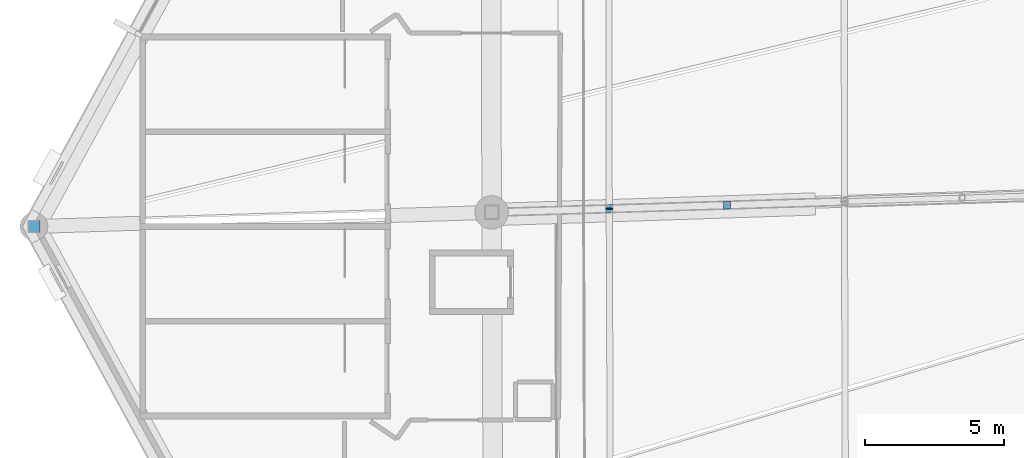
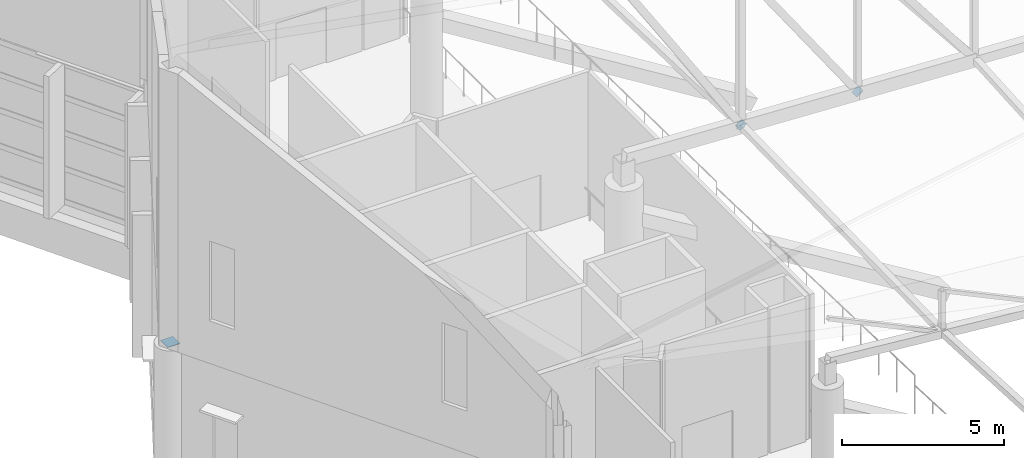
# One storey, part 289 of 344: 5 discrete accessories.
"""IFC4 building model written with IfcOpenShell, lengths in metres."""

import ifcopenshell
import ifcopenshell.guid

model = None  # the IFC model being written
_history = None  # IfcOwnerHistory: only IFC2X3 demands one
_inside = {}  # id of a spatial element -> (the spatial element, [elements in it])
_under = {}  # id of a project, library or spatial element -> (it, [spatial elements below it])
_declared = {}  # id of a project -> (the project, [libraries it declares])
_typed = {}  # id of a type object -> (the type object, [elements of that type])
_made_of = {}  # id of a material, layer set ... -> (it, [elements and type objects made of it])


def new_model(schema):
    """Start an empty IFC model of exactly this schema.

    Asked for "IFC4X3", IfcOpenShell would pick the latest addendum, in which some entities
    have other attributes; the version numbers below select the first issue.
    IFC2X3 requires an IfcOwnerHistory on every rooted entity: one is made here for all.
    """
    global model, _history
    if schema == "IFC4X3":
        model = ifcopenshell.file(schema_version=(4, 3, 0, 0))
    else:
        model = ifcopenshell.file(schema=schema)
    _inside.clear()
    _under.clear()
    _declared.clear()
    _typed.clear()
    _made_of.clear()
    _history = None
    if model.schema == "IFC2X3":
        org = make("IfcOrganization", Name="unknown")
        user = make(
            "IfcPersonAndOrganization",
            ThePerson=make("IfcPerson", FamilyName="unknown"),
            TheOrganization=org,
        )
        app = make(
            "IfcApplication",
            ApplicationDeveloper=org,
            Version="unknown",
            ApplicationFullName="unknown",
            ApplicationIdentifier="unknown",
        )
        _history = make(
            "IfcOwnerHistory",
            OwningUser=user,
            OwningApplication=app,
            ChangeAction="ADDED",
            CreationDate=0,
        )
    return model


def make(cls, **values):
    """One entity of the class cls with the attributes given. An attribute that is None is left unset."""
    return model.create_entity(
        cls, **{name: value for name, value in values.items() if value is not None}
    )


def rooted(cls, **values):
    """An entity with a GlobalId (a new one), such as an element, a storey or a relation."""
    return make(cls, GlobalId=ifcopenshell.guid.new(), OwnerHistory=_history, **values)


def si_unit(unit_type, name, prefix=None):
    """IfcSIUnit, for example si_unit("LENGTHUNIT", "METRE", prefix="MILLI")."""
    return make("IfcSIUnit", UnitType=unit_type, Prefix=prefix, Name=name)


def assignment(units):
    """IfcUnitAssignment: the units of a project."""
    return None if units is None else make("IfcUnitAssignment", Units=units)


def point(xyz):
    """IfcCartesianPoint."""
    return None if xyz is None else make("IfcCartesianPoint", Coordinates=xyz)


def direction(xyz):
    """IfcDirection."""
    return None if xyz is None else make("IfcDirection", DirectionRatios=xyz)


def frame(location, z_axis=None, x_axis=None):
    """IfcAxis2Placement3D, a coordinate frame: its origin and axes. An axis left out is left unset."""
    return make(
        "IfcAxis2Placement3D",
        Location=point(location),
        Axis=direction(z_axis),
        RefDirection=direction(x_axis),
    )


def frame_2d(location, x_axis=None):
    """IfcAxis2Placement2D, a coordinate frame in the plane: its origin and x axis."""
    return make(
        "IfcAxis2Placement2D", Location=point(location), RefDirection=direction(x_axis)
    )


def origin():
    """The frame at (0, 0, 0) with its axes left unset."""
    return frame((0.0, 0.0, 0.0))


def origin_2d():
    """The frame at (0, 0) in the plane with its x axis left unset."""
    return frame_2d((0.0, 0.0))


def place(relative_to, where):
    """IfcLocalPlacement: puts the frame where relative to a parent placement (None: the world)."""
    return make(
        "IfcLocalPlacement", PlacementRelTo=relative_to, RelativePlacement=where
    )


def context(
    kind, dimensions, precision=None, world=None, true_north=None, identifier=None
):
    """IfcGeometricRepresentationContext, for example the 3D "Model" context."""
    return make(
        "IfcGeometricRepresentationContext",
        ContextIdentifier=identifier,
        ContextType=kind,
        CoordinateSpaceDimension=dimensions,
        Precision=precision,
        WorldCoordinateSystem=world,
        TrueNorth=true_north,
    )


def subcontext(parent, identifier, kind, view, scale=None):
    """IfcGeometricRepresentationSubContext, for example "Body" below "Model"."""
    return make(
        "IfcGeometricRepresentationSubContext",
        ContextIdentifier=identifier,
        ContextType=kind,
        ParentContext=parent,
        TargetScale=scale,
        TargetView=view,
    )


def project(units=None, contexts=None):
    """IfcProject with its units and contexts."""
    return rooted(
        "IfcProject",
        Name="project",
        RepresentationContexts=contexts,
        UnitsInContext=assignment(units),
    )


def spatial(cls, under=None, at=None, **own):
    """A site, building, storey or space (cls), placed at a placement, below another one or the project."""
    s = rooted(cls, ObjectPlacement=at, **own)
    if under is not None:
        _under.setdefault(under.id(), (under, []))[1].append(s)
    return s


def profile(cls, at=None, kind="AREA", **sizes):
    """A parametric profile (cls). Its sizes go by their IFC names, for example OverallWidth=200.0."""
    return make(cls, ProfileType=kind, Position=at, **sizes)


def rectangle(**sizes):
    """IfcRectangleProfileDef."""
    return profile("IfcRectangleProfileDef", **sizes)


def extrude(swept, where, along, depth):
    """IfcExtrudedAreaSolid: the profile swept, set in the frame where, extruded along a direction by depth."""
    return make(
        "IfcExtrudedAreaSolid",
        SweptArea=swept,
        Position=where,
        ExtrudedDirection=direction(along),
        Depth=depth,
    )


def shape(context_of_items, identifier, shape_type, items):
    """IfcShapeRepresentation: the items that make up one representation, for example the "Body"."""
    return make(
        "IfcShapeRepresentation",
        ContextOfItems=context_of_items,
        RepresentationIdentifier=identifier,
        RepresentationType=shape_type,
        Items=items,
    )


def material(Name=None, Category=None):
    """IfcMaterial."""
    return make("IfcMaterial", Name=Name, Category=Category)


def material_profile(
    of_material, cross_section, Name=None, Category=None, Priority=None
):
    """IfcMaterialProfile: a cross section and its material."""
    return make(
        "IfcMaterialProfile",
        Name=Name,
        Material=of_material,
        Profile=cross_section,
        Priority=Priority,
        Category=Category,
    )


def profile_set(profiles, Name=None, composite=None):
    """IfcMaterialProfileSet."""
    return make(
        "IfcMaterialProfileSet",
        Name=Name,
        MaterialProfiles=profiles,
        CompositeProfile=composite,
    )


def made_of(thing, what):
    """Note that an element or type object is made of a material, layer set ...; save() writes the relation."""
    if what is not None:
        _made_of.setdefault(what.id(), (what, []))[1].append(thing)
    return thing


def type_object(cls, material=None, **own):
    """A type object (cls), such as IfcWallType, which elements share."""
    return made_of(rooted(cls, **own), material)


def element(
    cls,
    number,
    at=None,
    inside=None,
    cuts=None,
    type_object=None,
    material=None,
    context=None,
    identifier="Body",
    shape_type=None,
    held_by="IfcProductDefinitionShape",
    body=None,
    shapes=None,
    **own,
):
    """One element of the class cls, such as IfcWall. Its Tag is "e" and its number.

    at: its placement. inside: the storey or other place that contains it. cuts: it is an
    opening in that element (IfcRelVoidsElement). A single representation is given by context,
    identifier, shape_type and body (its items); several are given by shapes. held_by: the class
    of the entity that holds the representations. save() writes the other relations.
    """
    e = rooted(cls, Tag="e%d" % number, ObjectPlacement=at, **own)
    if body is not None:
        shapes = [shape(context, identifier, shape_type, body)]
    if shapes is not None:
        e.Representation = make(held_by, Representations=shapes)
    if inside is not None:
        _inside.setdefault(inside.id(), (inside, []))[1].append(e)
    if cuts is not None:
        rooted(
            "IfcRelVoidsElement", RelatingBuildingElement=cuts, RelatedOpeningElement=e
        )
    if type_object is not None:
        _typed.setdefault(type_object.id(), (type_object, []))[1].append(e)
    return made_of(e, material)


def aggregate(whole, parts):
    """IfcRelAggregates: a whole, such as a stair, and the parts it consists of."""
    return rooted("IfcRelAggregates", RelatingObject=whole, RelatedObjects=parts)


def save(model, path):
    """Write the relations noted so far, then the file.

    IfcRelAggregates (storeys below a building ...), IfcRelContainedInSpatialStructure (elements
    in a storey), IfcRelDefinesByType, IfcRelAssociatesMaterial and IfcRelDeclares: one each for
    every whole, place, type object, material and project.
    """
    for whole, parts in _under.values():
        aggregate(whole, parts)
    for where, things in _inside.values():
        rooted(
            "IfcRelContainedInSpatialStructure",
            RelatedElements=things,
            RelatingStructure=where,
        )
    for kind, things in _typed.values():
        rooted("IfcRelDefinesByType", RelatedObjects=things, RelatingType=kind)
    for what, things in _made_of.values():
        rooted("IfcRelAssociatesMaterial", RelatedObjects=things, RelatingMaterial=what)
    for by, libraries in _declared.values():
        rooted("IfcRelDeclares", RelatingContext=by, RelatedDefinitions=libraries)
    model.write(path)


model = new_model("IFC4")

# Units and contexts
model_context = context("Model", 3, precision=1e-05, world=origin(), true_north=direction((0.0, 1.0)))
body_context = subcontext(model_context, "Body", "Model", "MODEL_VIEW")
ifc_project = project(units=[si_unit("LENGTHUNIT", "METRE"), si_unit("AREAUNIT", "SQUARE_METRE"), si_unit("VOLUMEUNIT", "CUBIC_METRE"), si_unit("PLANEANGLEUNIT", "RADIAN"), si_unit("MASSUNIT", "GRAM", prefix="KILO")], contexts=[model_context])

# Site, building, storey
site_placement = place(None, origin())
site = spatial("IfcSite", under=ifc_project, at=site_placement, CompositionType="ELEMENT")
building_placement = place(site_placement, origin())
building = spatial("IfcBuilding", under=site, at=building_placement, Name="Meseta Stadium", CompositionType="ELEMENT")
storey_placement = place(building_placement, frame((0.0, 0.0, 24.0)))
storey = spatial("IfcBuildingStorey", under=building, at=storey_placement, Name="L04", CompositionType="ELEMENT", Elevation=24.0)

# Discrete accessories
ifc_material_1 = material(Name="Steel S355", Category="steel")
ifc_material_profile_1 = material_profile(ifc_material_1, rectangle(XDim=0.260009765625, YDim=0.260009765625, at=origin_2d()), Name="PL 260x260")
ifc_profile_set_1 = profile_set([ifc_material_profile_1], Name="Steel S355")
discrete_accessory_type_1 = type_object("IfcDiscreteAccessoryType", Name="End plate 260x260x20", PredefinedType="ANCHORPLATE", material=ifc_profile_set_1)
for number, where, z_axis, x_axis, name in (
    (1, (-80.75830078125, -18.113525390625, 6.546630859375), (0.0, -0.999331426586, 0.036560905851), (1.0, 0.0, 0.0), "End plate of ROOF TRUSS STRUT RT-33/34"),
    (2, (-80.758544921875, -18.093505859375, 6.547119140625), (0.012190590302, -0.999628404729, -0.024381180603), (0.999925647793, 0.012194215217, 0.0), "End plate of ROOF TRUSS STRUT RT-34/35"),
):
    element("IfcDiscreteAccessory", number, at=place(storey_placement, frame(where, z_axis=z_axis, x_axis=x_axis)), inside=storey, type_object=discrete_accessory_type_1, Name=name, PredefinedType="ANCHORPLATE", context=body_context, shape_type="SweptSolid", body=[
        extrude(rectangle(XDim=0.260009765625, YDim=0.260009765625, at=origin_2d()), origin(), (0.0, 0.0, 1.0), 0.02001953125),
    ])
ifc_material_2 = material(Name="Steel S355", Category="steel")
ifc_material_profile_2 = material_profile(ifc_material_2, rectangle(XDim=0.2900390625, YDim=0.2900390625, at=origin_2d()), Name="PL 290x290")
ifc_profile_set_2 = profile_set([ifc_material_profile_2], Name="Steel S355")
discrete_accessory_type_2 = type_object("IfcDiscreteAccessoryType", Name="End plate 290x290x20", PredefinedType="ANCHORPLATE", material=ifc_profile_set_2)
for number, where, z_axis, x_axis, name in (
    (3, (-76.52685546875, -17.98291015625, 6.22607421875), (-0.565835193214, -0.02460153014, 0.824151259682), (0.043437224276, -0.999056158355, 0.0), "End plate of ROOF TRUSS RT-34 diagonal"),
    (4, (-80.747802734375, -18.113037109375, 6.52978515625), (-0.528732930927, -0.024592229345, 0.848431912418), (0.046461399352, -0.998920086078, 0.0), "End plate of ROOF TRUSS RT-34 diagonal"),
):
    element("IfcDiscreteAccessory", number, at=place(storey_placement, frame(where, z_axis=z_axis, x_axis=x_axis)), inside=storey, type_object=discrete_accessory_type_2, Name=name, PredefinedType="ANCHORPLATE", context=body_context, shape_type="SweptSolid", body=[
        extrude(rectangle(XDim=0.2900390625, YDim=0.2900390625, at=origin_2d()), origin(), (0.0, 0.0, 1.0), 0.019775390625),
    ])
ifc_material_3 = material(Name="Steel S355", Category="steel")
ifc_material_profile_3 = material_profile(ifc_material_3, rectangle(XDim=0.43994140625, YDim=0.43994140625, at=origin_2d()), Name="PL 440x440")
ifc_profile_set_3 = profile_set([ifc_material_profile_3], Name="Steel S355")
discrete_accessory_type_3 = type_object("IfcDiscreteAccessoryType", Name="End plate 440x440x20", PredefinedType="ANCHORPLATE", material=ifc_profile_set_3)
discrete_accessory_placement = place(storey_placement, frame((-101.39990234375, -18.75, 5.97998046875), z_axis=(0.0, 0.0, 1.0), x_axis=(1.0, 0.0, 0.0)))
element("IfcDiscreteAccessory", 5, at=discrete_accessory_placement, inside=storey, type_object=discrete_accessory_type_3, Name="End plate of ROOF RIM POST RT-34", PredefinedType="ANCHORPLATE", context=body_context, shape_type="SweptSolid", body=[
    extrude(rectangle(XDim=0.43994140625, YDim=0.43994140625, at=origin_2d()), origin(), (0.0, 0.0, 1.0), 0.02001953125),
])

save(model, "model.ifc")
